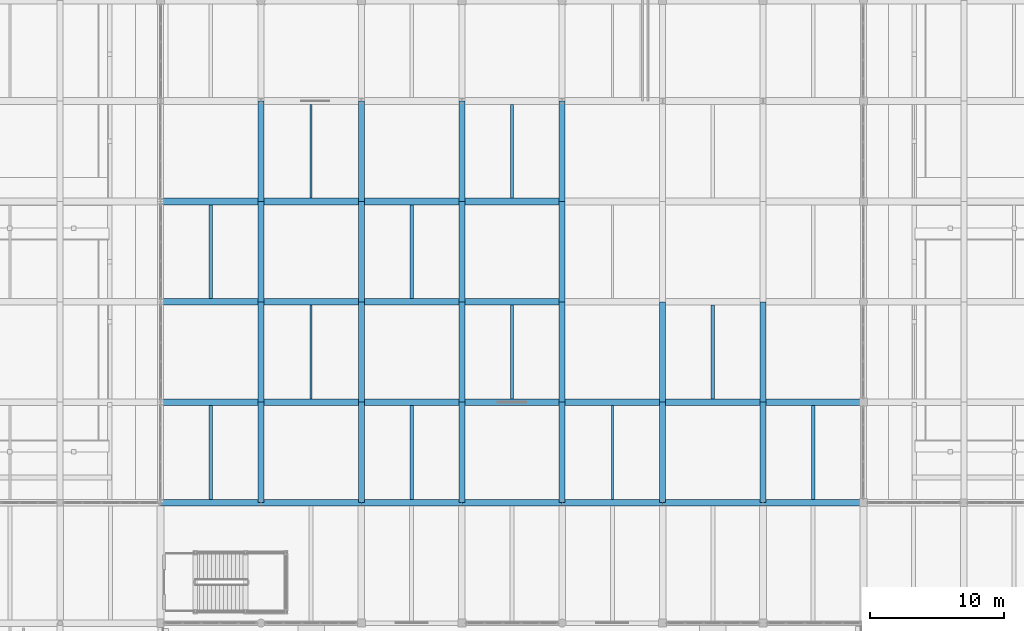
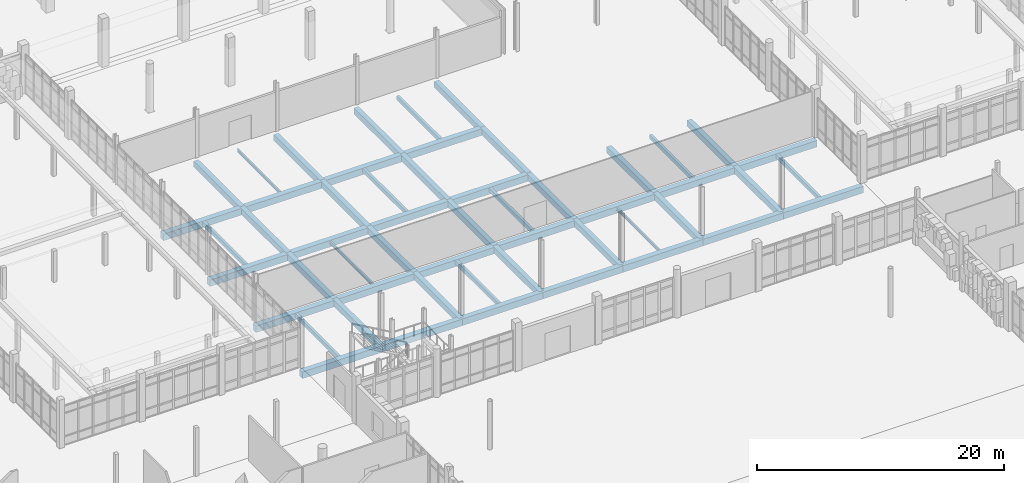
# One storey, part 34 of 125: 53 beams.
"""IFC4 building model written with IfcOpenShell, lengths in metres."""

from ifc_helpers import new_model, si_unit, direction, frame, origin, origin_2d, place, context, subcontext, project, spatial, rectangle, i_section, extrude, material, material_profile, profile_set, type_object, element, save


model = new_model("IFC4")

# Units and contexts
model_context = context("Model", 3, precision=1e-05, world=origin(), true_north=direction((0.0, 1.0)))
body_context = subcontext(model_context, "Body", "Model", "MODEL_VIEW")
ifc_project = project(units=[si_unit("LENGTHUNIT", "METRE"), si_unit("AREAUNIT", "SQUARE_METRE"), si_unit("VOLUMEUNIT", "CUBIC_METRE"), si_unit("PLANEANGLEUNIT", "RADIAN"), si_unit("MASSUNIT", "GRAM", prefix="KILO")], contexts=[model_context])

# Site, building, storey
site_placement = place(None, origin())
site = spatial("IfcSite", under=ifc_project, at=site_placement, CompositionType="ELEMENT")
building_placement = place(site_placement, origin())
building = spatial("IfcBuilding", under=site, at=building_placement, Name="Dalvernix Boulevard General Hospital", CompositionType="ELEMENT")
storey_placement = place(building_placement, origin())
storey = spatial("IfcBuildingStorey", under=building, at=storey_placement, Name="L00", CompositionType="ELEMENT", Elevation=0.0)

# Beams
ifc_material_1 = material(Name="Concrete C35/45", Category="concrete")
ifc_material_profile_1 = material_profile(ifc_material_1, rectangle(XDim=0.5, YDim=0.64990234375, at=origin_2d()), Name="RCB 500x650")
ifc_profile_set_1 = profile_set([ifc_material_profile_1], Name="Concrete C35/45")
beam_type_1 = type_object("IfcBeamType", Name="BM-B-02-I", PredefinedType="BEAM", material=ifc_profile_set_1)
for number, where, z_axis, x_axis, name in (
    (1, (60.0, 31.5, -0.68505859375), (1.0, 0.0, 0.0), (0.0, 1.0, 0.0), "L00 E-W girder E:9-10"),
    (2, (67.5, 31.5, -0.68505859375), (1.0, 0.0, 0.0), (0.0, 1.0, 0.0), "L00 E-W girder E:10-11"),
    (3, (75.0, 31.5, -0.68505859375), (1.0, 0.0, 0.0), (0.0, 1.0, 0.0), "L00 E-W girder E:11-12"),
    (4, (82.5, 31.5, -0.68505859375), (1.0, 0.0, 0.0), (0.0, 1.0, 0.0), "L00 E-W girder E:12-13"),
    (5, (90.0, 31.5, -0.68505859375), (1.0, 0.0, 0.0), (0.0, 1.0, 0.0), "L00 E-W girder E:13-14"),
    (6, (97.5, 31.5, -0.68505859375), (1.0, 0.0, 0.0), (0.0, 1.0, 0.0), "L00 E-W girder E:14-15"),
    (7, (105.0, 31.5, -0.68505859375), (1.0, 0.0, 0.0), (0.0, 1.0, 0.0), "L00 E-W girder E:15-16"),
    (8, (60.0, 39.0, -0.68505859375), (1.0, 0.0, 0.0), (0.0, 1.0, 0.0), "L00 E-W girder F:9-10"),
    (9, (67.5, 39.0, -0.68505859375), (1.0, 0.0, 0.0), (0.0, 1.0, 0.0), "L00 E-W girder F:10-11"),
    (10, (75.0, 39.0, -0.68505859375), (1.0, 0.0, 0.0), (0.0, 1.0, 0.0), "L00 E-W girder F:11-12"),
    (11, (82.5, 39.0, -0.68505859375), (1.0, 0.0, 0.0), (0.0, 1.0, 0.0), "L00 E-W girder F:12-13"),
    (12, (90.0, 39.0, -0.68505859375), (1.0, 0.0, 0.0), (0.0, 1.0, 0.0), "L00 E-W girder F:13-14"),
    (13, (97.5, 39.0, -0.68505859375), (1.0, 0.0, 0.0), (0.0, 1.0, 0.0), "L00 E-W girder F:14-15"),
    (14, (105.0, 39.0, -0.68505859375), (1.0, 0.0, 0.0), (0.0, 1.0, 0.0), "L00 E-W girder F:15-16"),
    (15, (60.0, 46.5, -0.68505859375), (1.0, 0.0, 0.0), (0.0, 1.0, 0.0), "L00 E-W girder G:9-10"),
    (16, (67.5, 46.5, -0.68505859375), (1.0, 0.0, 0.0), (0.0, 1.0, 0.0), "L00 E-W girder G:10-11"),
    (17, (75.0, 46.5, -0.68505859375), (1.0, 0.0, 0.0), (0.0, 1.0, 0.0), "L00 E-W girder G:11-12"),
    (18, (82.5, 46.5, -0.68505859375), (1.0, 0.0, 0.0), (0.0, 1.0, 0.0), "L00 E-W girder G:12-13"),
    (19, (60.0, 54.0, -0.68505859375), (1.0, 0.0, 0.0), (0.0, 1.0, 0.0), "L00 E-W girder H:9-10"),
    (20, (67.5, 54.0, -0.68505859375), (1.0, 0.0, 0.0), (0.0, 1.0, 0.0), "L00 E-W girder H:10-11"),
    (21, (75.0, 54.0, -0.68505859375), (1.0, 0.0, 0.0), (0.0, 1.0, 0.0), "L00 E-W girder H:11-12"),
    (22, (82.5, 54.0, -0.68505859375), (1.0, 0.0, 0.0), (0.0, 1.0, 0.0), "L00 E-W girder H:12-13"),
):
    element("IfcBeam", number, at=place(storey_placement, frame(where, z_axis=z_axis, x_axis=x_axis)), inside=storey, type_object=beam_type_1, Name=name, PredefinedType="BEAM", context=body_context, shape_type="SweptSolid", body=[
        extrude(rectangle(XDim=0.5, YDim=0.64990234375, at=origin_2d()), origin(), (0.0, 0.0, 1.0), 7.5),
    ])
ifc_material_profile_2 = material_profile(ifc_material_1, rectangle(XDim=0.449951171875, YDim=0.60009765625, at=origin_2d()), Name="RCB 450x600")
ifc_profile_set_2 = profile_set([ifc_material_profile_2], Name="Concrete C35/45")
beam_type_2 = type_object("IfcBeamType", Name="BM-B-04-I", PredefinedType="BEAM", material=ifc_profile_set_2)
for number, where, z_axis, x_axis, name in (
    (23, (67.5, 31.5, -0.659912109375), (0.0, 1.0, 0.0), (-1.0, 0.0, 0.0), "L00 N-S girder 10:E-F"),
    (24, (67.5, 39.0, -0.659912109375), (0.0, 1.0, 0.0), (-1.0, 0.0, 0.0), "L00 N-S girder 10:F-G"),
    (25, (67.5, 46.5, -0.659912109375), (0.0, 1.0, 0.0), (-1.0, 0.0, 0.0), "L00 N-S girder 10:G-H"),
    (26, (67.5, 54.0, -0.659912109375), (0.0, 1.0, 0.0), (-1.0, 0.0, 0.0), "L00 N-S girder 10:H-J"),
    (27, (75.0, 31.5, -0.659912109375), (0.0, 1.0, 0.0), (-1.0, 0.0, 0.0), "L00 N-S girder 11:E-F"),
    (28, (75.0, 39.0, -0.659912109375), (0.0, 1.0, 0.0), (-1.0, 0.0, 0.0), "L00 N-S girder 11:F-G"),
    (29, (75.0, 46.5, -0.659912109375), (0.0, 1.0, 0.0), (-1.0, 0.0, 0.0), "L00 N-S girder 11:G-H"),
    (30, (75.0, 54.0, -0.659912109375), (0.0, 1.0, 0.0), (-1.0, 0.0, 0.0), "L00 N-S girder 11:H-J"),
    (31, (82.5, 31.5, -0.659912109375), (0.0, 1.0, 0.0), (-1.0, 0.0, 0.0), "L00 N-S girder 12:E-F"),
    (32, (82.5, 39.0, -0.659912109375), (0.0, 1.0, 0.0), (-1.0, 0.0, 0.0), "L00 N-S girder 12:F-G"),
    (33, (82.5, 46.5, -0.659912109375), (0.0, 1.0, 0.0), (-1.0, 0.0, 0.0), "L00 N-S girder 12:G-H"),
    (34, (82.5, 54.0, -0.659912109375), (0.0, 1.0, 0.0), (-1.0, 0.0, 0.0), "L00 N-S girder 12:H-J"),
    (35, (90.0, 31.5, -0.659912109375), (0.0, 1.0, 0.0), (-1.0, 0.0, 0.0), "L00 N-S girder 13:E-F"),
    (36, (90.0, 39.0, -0.659912109375), (0.0, 1.0, 0.0), (-1.0, 0.0, 0.0), "L00 N-S girder 13:F-G"),
    (37, (90.0, 46.5, -0.659912109375), (0.0, 1.0, 0.0), (-1.0, 0.0, 0.0), "L00 N-S girder 13:G-H"),
    (38, (90.0, 54.0, -0.659912109375), (0.0, 1.0, 0.0), (-1.0, 0.0, 0.0), "L00 N-S girder 13:H-J"),
    (39, (97.5, 31.5, -0.659912109375), (0.0, 1.0, 0.0), (-1.0, 0.0, 0.0), "L00 N-S girder 14:E-F"),
    (40, (97.5, 39.0, -0.659912109375), (0.0, 1.0, 0.0), (-1.0, 0.0, 0.0), "L00 N-S girder 14:F-G"),
    (41, (105.0, 31.5, -0.659912109375), (0.0, 1.0, 0.0), (-1.0, 0.0, 0.0), "L00 N-S girder 15:E-F"),
    (42, (105.0, 39.0, -0.659912109375), (0.0, 1.0, 0.0), (-1.0, 0.0, 0.0), "L00 N-S girder 15:F-G"),
):
    element("IfcBeam", number, at=place(storey_placement, frame(where, z_axis=z_axis, x_axis=x_axis)), inside=storey, type_object=beam_type_2, Name=name, PredefinedType="BEAM", context=body_context, shape_type="SweptSolid", body=[
        extrude(rectangle(XDim=0.449951171875, YDim=0.60009765625, at=origin_2d()), origin(), (0.0, 0.0, 1.0), 7.5),
    ])
ifc_material_profile_3 = material_profile(ifc_material_1, rectangle(XDim=0.25, YDim=0.39990234375, at=origin_2d()), Name="RCB 250x400")
ifc_profile_set_3 = profile_set([ifc_material_profile_3], Name="Concrete C35/45")
beam_type_3 = type_object("IfcBeamType", Name="BM-JB-02", PredefinedType="JOIST", material=ifc_profile_set_3)
for number, where, z_axis, x_axis, name in (
    (43, (63.75, 31.75, -0.56005859375), (0.0, 1.0, 0.0), (-1.0, 0.0, 0.0), "L00 secondary floor beam 9-E"),
    (44, (63.75, 46.75, -0.56005859375), (0.0, 1.0, 0.0), (-1.0, 0.0, 0.0), "L00 secondary floor beam 9-G"),
    (45, (78.75, 31.75, -0.56005859375), (0.0, 1.0, 0.0), (-1.0, 0.0, 0.0), "L00 secondary floor beam 11-E"),
    (46, (78.75, 46.75, -0.56005859375), (0.0, 1.0, 0.0), (-1.0, 0.0, 0.0), "L00 secondary floor beam 11-G"),
    (47, (86.25, 39.25, -0.56005859375), (0.0, 1.0, 0.0), (-1.0, 0.0, 0.0), "L00 secondary floor beam 12-F"),
    (48, (86.25, 54.25, -0.56005859375), (0.0, 1.0, 0.0), (-1.0, 0.0, 0.0), "L00 secondary floor beam 12-H"),
    (49, (101.25, 39.25, -0.56005859375), (0.0, 1.0, 0.0), (-1.0, 0.0, 0.0), "L00 secondary floor beam 14-F"),
    (50, (108.75, 31.75, -0.56005859375), (0.0, 1.0, 0.0), (-1.0, 0.0, 0.0), "L00 secondary floor beam 15-E"),
):
    element("IfcBeam", number, at=place(storey_placement, frame(where, z_axis=z_axis, x_axis=x_axis)), inside=storey, type_object=beam_type_3, Name=name, PredefinedType="JOIST", context=body_context, shape_type="SweptSolid", body=[
        extrude(rectangle(XDim=0.25, YDim=0.39990234375, at=origin_2d()), origin(), (0.0, 0.0, 1.0), 7.0),
    ])
ifc_material_2 = material(Name="Steel S355", Category="steel")
ifc_material_profile_4 = material_profile(ifc_material_2, i_section(OverallWidth=0.14990234375, OverallDepth=0.300048828125, WebThickness=0.007080078125, FlangeThickness=0.0107421875, FilletRadius=0.014892578125, at=origin_2d()), Name="IPE 300")
ifc_profile_set_4 = profile_set([ifc_material_profile_4], Name="Steel S355")
beam_type_4 = type_object("IfcBeamType", Name="BM-JB-03", PredefinedType="JOIST", material=ifc_profile_set_4)
for number, where, z_axis, x_axis, name in (
    (51, (71.25, 39.25, -0.510009765625), (0.0, 1.0, 0.0), (-1.0, 0.0, 0.0), "L00 secondary floor beam 10-F"),
    (52, (71.25, 54.25, -0.510009765625), (0.0, 1.0, 0.0), (-1.0, 0.0, 0.0), "L00 secondary floor beam 10-H"),
    (53, (93.75, 31.75, -0.510009765625), (0.0, 1.0, 0.0), (-1.0, 0.0, 0.0), "L00 secondary floor beam 13-E"),
):
    element("IfcBeam", number, at=place(storey_placement, frame(where, z_axis=z_axis, x_axis=x_axis)), inside=storey, type_object=beam_type_4, Name=name, PredefinedType="JOIST", context=body_context, shape_type="SweptSolid", body=[
        extrude(i_section(OverallWidth=0.14990234375, OverallDepth=0.300048828125, WebThickness=0.007080078125, FlangeThickness=0.0107421875, FilletRadius=0.014892578125, at=origin_2d()), origin(), (0.0, 0.0, 1.0), 7.0),
    ])

save(model, "model.ifc")
